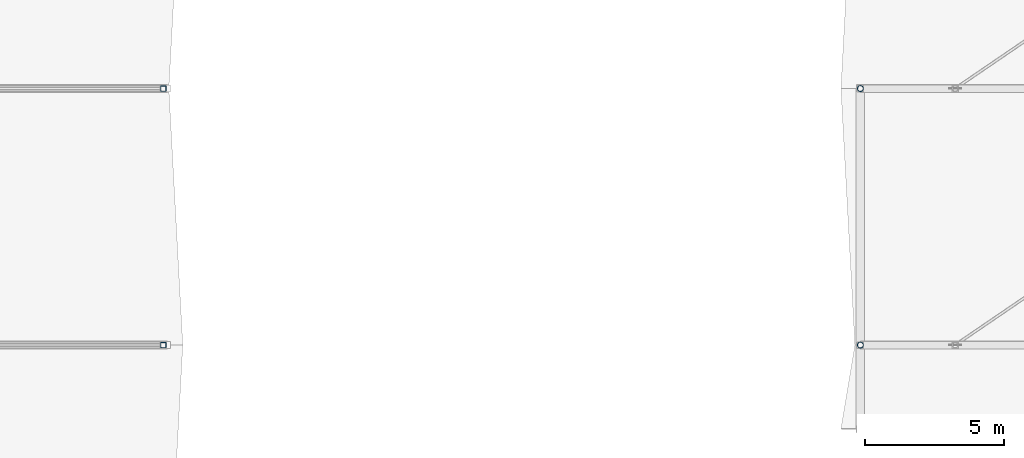
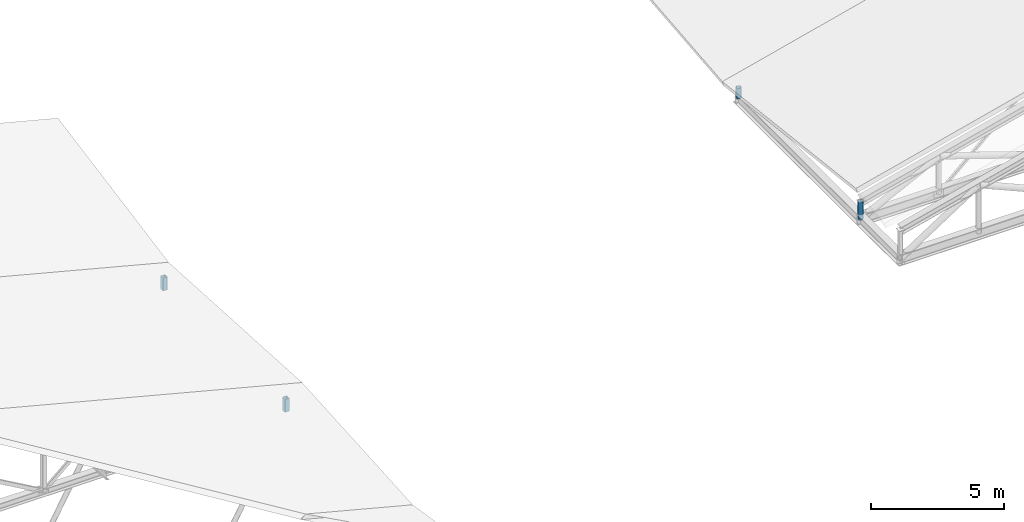
# One storey, part 43 of 56: 4 members.
"""IFC4 building model written with IfcOpenShell, lengths in metres."""

from ifc_helpers import new_model, si_unit, direction, frame, origin, origin_2d, place, context, subcontext, project, spatial, hollow_rectangle, hollow_circle, extrude, material, material_profile, profile_set, type_object, element, save


model = new_model("IFC4")

# Units and contexts
model_context = context("Model", 3, precision=1e-05, world=origin(), true_north=direction((0.0, 1.0)))
body_context = subcontext(model_context, "Body", "Model", "MODEL_VIEW")
ifc_project = project(units=[si_unit("LENGTHUNIT", "METRE"), si_unit("AREAUNIT", "SQUARE_METRE"), si_unit("VOLUMEUNIT", "CUBIC_METRE"), si_unit("PLANEANGLEUNIT", "RADIAN"), si_unit("MASSUNIT", "GRAM", prefix="KILO")], contexts=[model_context])

# Site, building, storey
site_placement = place(None, origin())
site = spatial("IfcSite", under=ifc_project, at=site_placement, CompositionType="ELEMENT")
building_placement = place(site_placement, origin())
building = spatial("IfcBuilding", under=site, at=building_placement, Name="Bozkorgan Art Gallery", CompositionType="ELEMENT")
storey_placement = place(building_placement, frame((0.0, 0.0, 24.0)))
storey = spatial("IfcBuildingStorey", under=building, at=storey_placement, Name="L05", CompositionType="ELEMENT", Elevation=24.0)

# Members
ifc_material = material(Name="Steel S355J2", Category="steel")
ifc_material_profile_1 = material_profile(ifc_material, hollow_rectangle(XDim=0.199951171875, YDim=0.199951171875, WallThickness=0.010009765625, InnerFilletRadius=0.014892578125, OuterFilletRadius=0.02490234375, at=origin_2d()), Name="SHS 200x200x10")
ifc_profile_set_1 = profile_set([ifc_material_profile_1], Name="Steel S355J2")
member_type_1 = type_object("IfcMemberType", Name="MEMBER-TP-32", PredefinedType="POST", material=ifc_profile_set_1)
for number, where, z_axis, x_axis, name in (
    (1, (108.60009765625, 66.0, 0.179931640625), (0.0, 0.0, 1.0), (1.0, 0.0, 0.0), "ROOF-V4-MAIN roof truss 3 post 6"),
    (2, (108.60009765625, 75.199951171875, 0.179931640625), (0.0, 0.0, 1.0), (1.0, 0.0, 0.0), "ROOF-V4-MAIN roof truss 4 post 6"),
):
    element("IfcMember", number, at=place(storey_placement, frame(where, z_axis=z_axis, x_axis=x_axis)), inside=storey, type_object=member_type_1, Name=name, PredefinedType="POST", context=body_context, shape_type="SweptSolid", body=[
        extrude(hollow_rectangle(XDim=0.199951171875, YDim=0.199951171875, WallThickness=0.010009765625, InnerFilletRadius=0.014892578125, OuterFilletRadius=0.02490234375, at=origin_2d()), origin(), (0.0, 0.0, 1.0), 0.5927734375),
    ])
ifc_material_profile_2 = material_profile(ifc_material, hollow_circle(Radius=0.109619140625, WallThickness=0.010009765625, at=origin_2d()), Name="CHS 219.1x10")
ifc_profile_set_2 = profile_set([ifc_material_profile_2], Name="Steel S355J2")
member_type_2 = type_object("IfcMemberType", Name="MEMBER-TP-78", PredefinedType="POST", material=ifc_profile_set_2)
member_1_placement = place(storey_placement, frame((133.60009765625, 66.0, 0.25), z_axis=(0.0, 0.0, 1.0), x_axis=(1.0, 0.0, 0.0)))
element("IfcMember", 3, at=member_1_placement, inside=storey, type_object=member_type_2, Name="ROOF-V5-MAIN roof truss 2 post 0", PredefinedType="POST", context=body_context, shape_type="SweptSolid", body=[
    extrude(hollow_circle(Radius=0.109619140625, WallThickness=0.010009765625, at=origin_2d()), origin(), (0.0, 0.0, 1.0), 0.839599609375),
])
member_2_placement = place(storey_placement, frame((133.60009765625, 75.199951171875, 0.25), z_axis=(0.0, 0.0, 1.0), x_axis=(1.0, 0.0, 0.0)))
element("IfcMember", 4, at=member_2_placement, inside=storey, type_object=member_type_2, Name="ROOF-V5-MAIN roof truss 3 post 0", PredefinedType="POST", context=body_context, shape_type="SweptSolid", body=[
    extrude(hollow_circle(Radius=0.109619140625, WallThickness=0.010009765625, at=origin_2d()), origin(), (0.0, 0.0, 1.0), 0.476806640625),
])

save(model, "model.ifc")
